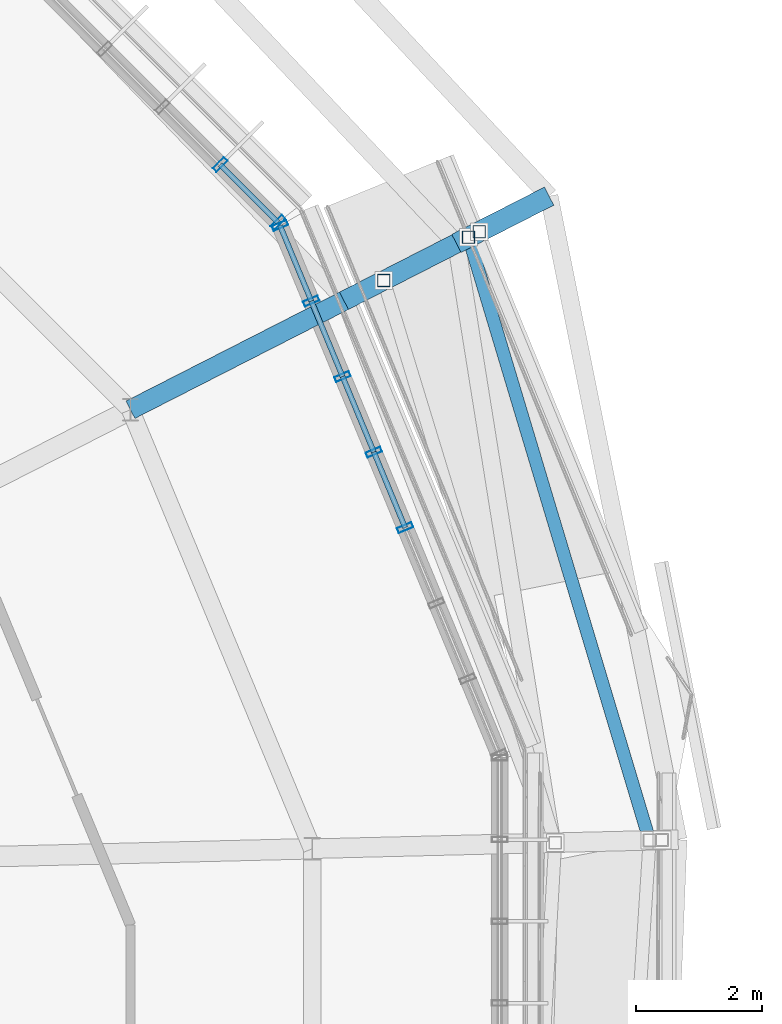
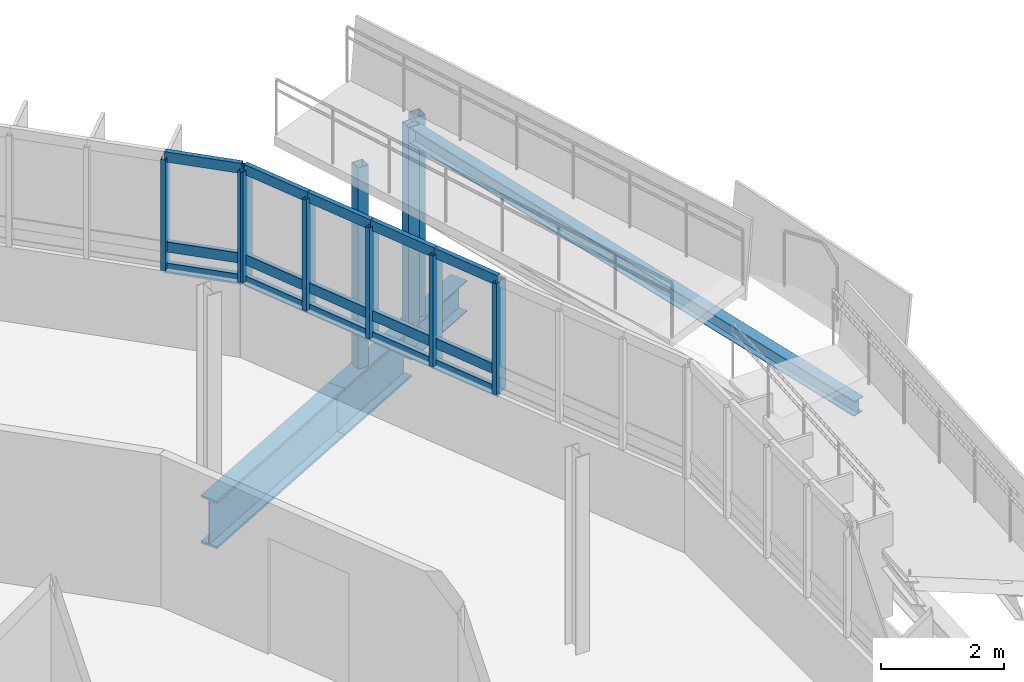
# One storey, part 21 of 38: 25 members, 4 beams, 2 elements without a shape of their own.
"""IFC4 building model written with IfcOpenShell, lengths in metres."""

import ifcopenshell
import ifcopenshell.guid

model = None  # the IFC model being written
_history = None  # IfcOwnerHistory: only IFC2X3 demands one
_inside = {}  # id of a spatial element -> (the spatial element, [elements in it])
_under = {}  # id of a project, library or spatial element -> (it, [spatial elements below it])
_declared = {}  # id of a project -> (the project, [libraries it declares])
_typed = {}  # id of a type object -> (the type object, [elements of that type])
_made_of = {}  # id of a material, layer set ... -> (it, [elements and type objects made of it])


def new_model(schema):
    """Start an empty IFC model of exactly this schema.

    Asked for "IFC4X3", IfcOpenShell would pick the latest addendum, in which some entities
    have other attributes; the version numbers below select the first issue.
    IFC2X3 requires an IfcOwnerHistory on every rooted entity: one is made here for all.
    """
    global model, _history
    if schema == "IFC4X3":
        model = ifcopenshell.file(schema_version=(4, 3, 0, 0))
    else:
        model = ifcopenshell.file(schema=schema)
    _inside.clear()
    _under.clear()
    _declared.clear()
    _typed.clear()
    _made_of.clear()
    _history = None
    if model.schema == "IFC2X3":
        org = make("IfcOrganization", Name="unknown")
        user = make(
            "IfcPersonAndOrganization",
            ThePerson=make("IfcPerson", FamilyName="unknown"),
            TheOrganization=org,
        )
        app = make(
            "IfcApplication",
            ApplicationDeveloper=org,
            Version="unknown",
            ApplicationFullName="unknown",
            ApplicationIdentifier="unknown",
        )
        _history = make(
            "IfcOwnerHistory",
            OwningUser=user,
            OwningApplication=app,
            ChangeAction="ADDED",
            CreationDate=0,
        )
    return model


def make(cls, **values):
    """One entity of the class cls with the attributes given. An attribute that is None is left unset."""
    return model.create_entity(
        cls, **{name: value for name, value in values.items() if value is not None}
    )


def rooted(cls, **values):
    """An entity with a GlobalId (a new one), such as an element, a storey or a relation."""
    return make(cls, GlobalId=ifcopenshell.guid.new(), OwnerHistory=_history, **values)


def si_unit(unit_type, name, prefix=None):
    """IfcSIUnit, for example si_unit("LENGTHUNIT", "METRE", prefix="MILLI")."""
    return make("IfcSIUnit", UnitType=unit_type, Prefix=prefix, Name=name)


def derived_unit(unit_type, elements):
    """IfcDerivedUnit: a product of units, each with its exponent."""
    return make(
        "IfcDerivedUnit",
        Elements=[
            make("IfcDerivedUnitElement", Unit=unit, Exponent=power)
            for unit, power in elements
        ],
        UnitType=unit_type,
    )


def assignment(units):
    """IfcUnitAssignment: the units of a project."""
    return None if units is None else make("IfcUnitAssignment", Units=units)


def point(xyz):
    """IfcCartesianPoint."""
    return None if xyz is None else make("IfcCartesianPoint", Coordinates=xyz)


def direction(xyz):
    """IfcDirection."""
    return None if xyz is None else make("IfcDirection", DirectionRatios=xyz)


def frame(location, z_axis=None, x_axis=None):
    """IfcAxis2Placement3D, a coordinate frame: its origin and axes. An axis left out is left unset."""
    return make(
        "IfcAxis2Placement3D",
        Location=point(location),
        Axis=direction(z_axis),
        RefDirection=direction(x_axis),
    )


def frame_2d(location, x_axis=None):
    """IfcAxis2Placement2D, a coordinate frame in the plane: its origin and x axis."""
    return make(
        "IfcAxis2Placement2D", Location=point(location), RefDirection=direction(x_axis)
    )


def origin():
    """The frame at (0, 0, 0) with its axes left unset."""
    return frame((0.0, 0.0, 0.0))


def origin_2d():
    """The frame at (0, 0) in the plane with its x axis left unset."""
    return frame_2d((0.0, 0.0))


def place(relative_to, where):
    """IfcLocalPlacement: puts the frame where relative to a parent placement (None: the world)."""
    return make(
        "IfcLocalPlacement", PlacementRelTo=relative_to, RelativePlacement=where
    )


def context(
    kind, dimensions, precision=None, world=None, true_north=None, identifier=None
):
    """IfcGeometricRepresentationContext, for example the 3D "Model" context."""
    return make(
        "IfcGeometricRepresentationContext",
        ContextIdentifier=identifier,
        ContextType=kind,
        CoordinateSpaceDimension=dimensions,
        Precision=precision,
        WorldCoordinateSystem=world,
        TrueNorth=true_north,
    )


def subcontext(parent, identifier, kind, view, scale=None):
    """IfcGeometricRepresentationSubContext, for example "Body" below "Model"."""
    return make(
        "IfcGeometricRepresentationSubContext",
        ContextIdentifier=identifier,
        ContextType=kind,
        ParentContext=parent,
        TargetScale=scale,
        TargetView=view,
    )


def project(units=None, contexts=None):
    """IfcProject with its units and contexts."""
    return rooted(
        "IfcProject",
        Name="project",
        RepresentationContexts=contexts,
        UnitsInContext=assignment(units),
    )


def spatial(cls, under=None, at=None, **own):
    """A site, building, storey or space (cls), placed at a placement, below another one or the project."""
    s = rooted(cls, ObjectPlacement=at, **own)
    if under is not None:
        _under.setdefault(under.id(), (under, []))[1].append(s)
    return s


def profile(cls, at=None, kind="AREA", **sizes):
    """A parametric profile (cls). Its sizes go by their IFC names, for example OverallWidth=200.0."""
    return make(cls, ProfileType=kind, Position=at, **sizes)


def hollow_rectangle(**sizes):
    """IfcRectangleHollowProfileDef."""
    return profile("IfcRectangleHollowProfileDef", **sizes)


def i_section(**sizes):
    """IfcIShapeProfileDef."""
    return profile("IfcIShapeProfileDef", **sizes)


def extrude(swept, where, along, depth):
    """IfcExtrudedAreaSolid: the profile swept, set in the frame where, extruded along a direction by depth."""
    return make(
        "IfcExtrudedAreaSolid",
        SweptArea=swept,
        Position=where,
        ExtrudedDirection=direction(along),
        Depth=depth,
    )


def shape(context_of_items, identifier, shape_type, items):
    """IfcShapeRepresentation: the items that make up one representation, for example the "Body"."""
    return make(
        "IfcShapeRepresentation",
        ContextOfItems=context_of_items,
        RepresentationIdentifier=identifier,
        RepresentationType=shape_type,
        Items=items,
    )


def material(Name=None, Category=None):
    """IfcMaterial."""
    return make("IfcMaterial", Name=Name, Category=Category)


def layer(
    of_material, thickness, ventilated=None, Name=None, Category=None, Priority=None
):
    """IfcMaterialLayer: one layer of a wall or slab, of a material (None: an air gap)."""
    return make(
        "IfcMaterialLayer",
        Material=of_material,
        LayerThickness=thickness,
        IsVentilated=ventilated,
        Name=Name,
        Category=Category,
        Priority=Priority,
    )


def layer_set(layers, Name=None):
    """IfcMaterialLayerSet."""
    return make("IfcMaterialLayerSet", MaterialLayers=layers, LayerSetName=Name)


def material_profile(
    of_material, cross_section, Name=None, Category=None, Priority=None
):
    """IfcMaterialProfile: a cross section and its material."""
    return make(
        "IfcMaterialProfile",
        Name=Name,
        Material=of_material,
        Profile=cross_section,
        Priority=Priority,
        Category=Category,
    )


def profile_set(profiles, Name=None, composite=None):
    """IfcMaterialProfileSet."""
    return make(
        "IfcMaterialProfileSet",
        Name=Name,
        MaterialProfiles=profiles,
        CompositeProfile=composite,
    )


def made_of(thing, what):
    """Note that an element or type object is made of a material, layer set ...; save() writes the relation."""
    if what is not None:
        _made_of.setdefault(what.id(), (what, []))[1].append(thing)
    return thing


def type_object(cls, material=None, **own):
    """A type object (cls), such as IfcWallType, which elements share."""
    return made_of(rooted(cls, **own), material)


def element(
    cls,
    number,
    at=None,
    inside=None,
    cuts=None,
    type_object=None,
    material=None,
    context=None,
    identifier="Body",
    shape_type=None,
    held_by="IfcProductDefinitionShape",
    body=None,
    shapes=None,
    **own,
):
    """One element of the class cls, such as IfcWall. Its Tag is "e" and its number.

    at: its placement. inside: the storey or other place that contains it. cuts: it is an
    opening in that element (IfcRelVoidsElement). A single representation is given by context,
    identifier, shape_type and body (its items); several are given by shapes. held_by: the class
    of the entity that holds the representations. save() writes the other relations.
    """
    e = rooted(cls, Tag="e%d" % number, ObjectPlacement=at, **own)
    if body is not None:
        shapes = [shape(context, identifier, shape_type, body)]
    if shapes is not None:
        e.Representation = make(held_by, Representations=shapes)
    if inside is not None:
        _inside.setdefault(inside.id(), (inside, []))[1].append(e)
    if cuts is not None:
        rooted(
            "IfcRelVoidsElement", RelatingBuildingElement=cuts, RelatedOpeningElement=e
        )
    if type_object is not None:
        _typed.setdefault(type_object.id(), (type_object, []))[1].append(e)
    return made_of(e, material)


def aggregate(whole, parts):
    """IfcRelAggregates: a whole, such as a stair, and the parts it consists of."""
    return rooted("IfcRelAggregates", RelatingObject=whole, RelatedObjects=parts)


def save(model, path):
    """Write the relations noted so far, then the file.

    IfcRelAggregates (storeys below a building ...), IfcRelContainedInSpatialStructure (elements
    in a storey), IfcRelDefinesByType, IfcRelAssociatesMaterial and IfcRelDeclares: one each for
    every whole, place, type object, material and project.
    """
    for whole, parts in _under.values():
        aggregate(whole, parts)
    for where, things in _inside.values():
        rooted(
            "IfcRelContainedInSpatialStructure",
            RelatedElements=things,
            RelatingStructure=where,
        )
    for kind, things in _typed.values():
        rooted("IfcRelDefinesByType", RelatedObjects=things, RelatingType=kind)
    for what, things in _made_of.values():
        rooted("IfcRelAssociatesMaterial", RelatedObjects=things, RelatingMaterial=what)
    for by, libraries in _declared.values():
        rooted("IfcRelDeclares", RelatingContext=by, RelatedDefinitions=libraries)
    model.write(path)


model = new_model("IFC4")

# Units and contexts
model_context = context("Model", 3, precision=1e-05, world=origin(), true_north=direction((0.0, 1.0)))
body_context = subcontext(model_context, "Body", "Model", "MODEL_VIEW")
ifc_project = project(units=[si_unit("LENGTHUNIT", "METRE"), si_unit("AREAUNIT", "SQUARE_METRE"), si_unit("VOLUMEUNIT", "CUBIC_METRE"), si_unit("PLANEANGLEUNIT", "RADIAN"), si_unit("MASSUNIT", "GRAM", prefix="KILO"), derived_unit("THERMALTRANSMITTANCEUNIT", [(si_unit("MASSUNIT", "GRAM", prefix="KILO"), 1), (si_unit("TIMEUNIT", "SECOND"), -3), (si_unit("THERMODYNAMICTEMPERATUREUNIT", "KELVIN"), -1)])], contexts=[model_context])

# Site, building, storey
site_placement = place(None, origin())
site = spatial("IfcSite", under=ifc_project, at=site_placement, CompositionType="ELEMENT")
building_placement = place(site_placement, origin())
building = spatial("IfcBuilding", under=site, at=building_placement, Name="Makaiwela Harbour Ferry Terminal", CompositionType="ELEMENT")
storey_placement = place(building_placement, frame((0.0, 0.0, 17.699951171875)))
storey = spatial("IfcBuildingStorey", under=building, at=storey_placement, Name="L04", CompositionType="ELEMENT", Elevation=17.699951171875)

# Curtain wall, members
ifc_material_1 = material(Name="Marine anodised aluminium 6063-T6", Category="aluminium")
ifc_layer = layer(ifc_material_1, 0.199951171875)
ifc_layer_set = layer_set([ifc_layer], Name="Marine anodised aluminium 6063-T6")
curtain_wall_type = type_object("IfcCurtainWallType", Name="ENV-CW-06", PredefinedType="USERDEFINED", material=ifc_layer_set)
curtain_wall_1_placement = place(storey_placement, origin())
curtain_wall_1 = element("IfcCurtainWall", 1, at=curtain_wall_1_placement, inside=storey, type_object=curtain_wall_type, Name="Unitised Curtain Wall CWA-043", ObjectType="UNITIZED CURTAIN WALL", PredefinedType="USERDEFINED")
ifc_material_profile_1 = material_profile(ifc_material_1, hollow_rectangle(XDim=0.0849609375, YDim=0.25, WallThickness=0.0048828125, at=origin_2d()), Name="CWM-250X85")
ifc_profile_set_1 = profile_set([ifc_material_profile_1], Name="Marine anodised aluminium 6063-T6")
member_type_1 = type_object("IfcMemberType", Name="CW-MUL-250", PredefinedType="MULLION", material=ifc_profile_set_1)
member_1_placement = place(storey_placement, frame((57.501220703125, 76.9541015625, 1.47998046875), z_axis=(0.0, 0.0, 1.0), x_axis=(-0.382683432365, 0.923879532511, 0.0)))
member_1 = element("IfcMember", 2, at=member_1_placement, type_object=member_type_1, Name="Curtain Wall Mullion CWA-043-4", PredefinedType="MULLION", context=body_context, shape_type="SweptSolid", body=[
    extrude(hollow_rectangle(XDim=0.0849609375, YDim=0.25, WallThickness=0.0048828125, at=origin_2d()), origin(), (0.0, 0.0, 1.0), 2.199951171875),
])
member_2_placement = place(storey_placement, frame((57.005615234375, 78.1513671875, 1.47998046875), z_axis=(0.0, 0.0, 1.0), x_axis=(-0.382683432365, 0.923879532511, 0.0)))
member_2 = element("IfcMember", 3, at=member_2_placement, type_object=member_type_1, Name="Curtain Wall Mullion CWA-043-5", PredefinedType="MULLION", context=body_context, shape_type="SweptSolid", body=[
    extrude(hollow_rectangle(XDim=0.0849609375, YDim=0.25, WallThickness=0.0048828125, at=origin_2d()), origin(), (0.0, 0.0, 1.0), 2.199951171875),
])
member_3_placement = place(storey_placement, frame((56.509521484375, 79.348388671875, 1.47998046875), z_axis=(0.0, 0.0, 1.0), x_axis=(-0.382683432365, 0.923879532511, 0.0)))
member_3 = element("IfcMember", 4, at=member_3_placement, type_object=member_type_1, Name="Curtain Wall Mullion CWA-043-6", PredefinedType="MULLION", context=body_context, shape_type="SweptSolid", body=[
    extrude(hollow_rectangle(XDim=0.0849609375, YDim=0.25, WallThickness=0.0048828125, at=origin_2d()), origin(), (0.0, 0.0, 1.0), 2.199951171875),
])
member_4_placement = place(storey_placement, frame((56.013916015625, 80.54541015625, 1.47998046875), z_axis=(0.0, 0.0, 1.0), x_axis=(-0.382683432365, 0.923879532511, 0.0)))
member_4 = element("IfcMember", 5, at=member_4_placement, type_object=member_type_1, Name="Curtain Wall Mullion CWA-043-7", PredefinedType="MULLION", context=body_context, shape_type="SweptSolid", body=[
    extrude(hollow_rectangle(XDim=0.0849609375, YDim=0.25, WallThickness=0.0048828125, at=origin_2d()), origin(), (0.0, 0.0, 1.0), 2.199951171875),
])
member_5_placement = place(storey_placement, frame((55.517822265625, 81.74267578125, 1.47998046875), z_axis=(0.0, 0.0, 1.0), x_axis=(-0.382683432365, 0.923879532511, 0.0)))
member_5 = element("IfcMember", 6, at=member_5_placement, type_object=member_type_1, Name="Curtain Wall Mullion CWA-043-8", PredefinedType="MULLION", context=body_context, shape_type="SweptSolid", body=[
    extrude(hollow_rectangle(XDim=0.0849609375, YDim=0.25, WallThickness=0.0048828125, at=origin_2d()), origin(), (0.0, 0.0, 1.0), 2.199951171875),
])

curtain_wall_2_placement = place(storey_placement, origin())
curtain_wall_2 = element("IfcCurtainWall", 7, at=curtain_wall_2_placement, inside=storey, type_object=curtain_wall_type, Name="Unitised Curtain Wall CWA-044", ObjectType="UNITIZED CURTAIN WALL", PredefinedType="USERDEFINED")
member_6_placement = place(storey_placement, frame((55.485107421875, 81.79150390625, 1.47998046875), z_axis=(0.0, 0.0, 1.0), x_axis=(-0.707106781187, 0.707106781187, 0.0)))
member_6 = element("IfcMember", 8, at=member_6_placement, type_object=member_type_1, Name="Curtain Wall Mullion CWA-044-1", PredefinedType="MULLION", context=body_context, shape_type="SweptSolid", body=[
    extrude(hollow_rectangle(XDim=0.0849609375, YDim=0.25, WallThickness=0.0048828125, at=origin_2d()), origin(), (0.0, 0.0, 1.0), 2.199951171875),
])
member_7_placement = place(storey_placement, frame((54.569091796875, 82.707763671875, 1.47998046875), z_axis=(0.0, 0.0, 1.0), x_axis=(-0.707106781187, 0.707106781187, 0.0)))
member_7 = element("IfcMember", 9, at=member_7_placement, type_object=member_type_1, Name="Curtain Wall Mullion CWA-044-2", PredefinedType="MULLION", context=body_context, shape_type="SweptSolid", body=[
    extrude(hollow_rectangle(XDim=0.0849609375, YDim=0.25, WallThickness=0.0048828125, at=origin_2d()), origin(), (0.0, 0.0, 1.0), 2.199951171875),
])

# Member
ifc_material_profile_2 = material_profile(ifc_material_1, hollow_rectangle(XDim=0.0849609375, YDim=0.199951171875, WallThickness=0.0048828125, at=origin_2d()), Name="CWT-200X85")
ifc_profile_set_2 = profile_set([ifc_material_profile_2], Name="Marine anodised aluminium 6063-T6")
member_type_2 = type_object("IfcMemberType", Name="CW-TRN-200", PredefinedType="USERDEFINED", material=ifc_profile_set_2)
member_8_placement = place(storey_placement, frame((57.501220703125, 76.9541015625, 1.47998046875), z_axis=(-0.382473826, 0.923966326456, 0.0), x_axis=(-0.923966326456, -0.382473826, 0.0)))
member_8 = element("IfcMember", 10, at=member_8_placement, type_object=member_type_2, Name="Curtain Wall Transom CWA-043-4-1", ObjectType="TRANSOM", PredefinedType="USERDEFINED", context=body_context, shape_type="SweptSolid", body=[
    extrude(hollow_rectangle(XDim=0.0849609375, YDim=0.199951171875, WallThickness=0.0048828125, at=origin_2d()), origin(), (0.0, 0.0, 1.0), 1.2958984375),
])

member_9_placement = place(storey_placement, frame((57.501220703125, 76.9541015625, 1.900146484375), z_axis=(-0.382473826, 0.923966326456, 0.0), x_axis=(-0.923966326456, -0.382473826, 0.0)))
member_9 = element("IfcMember", 11, at=member_9_placement, type_object=member_type_2, Name="Curtain Wall Transom CWA-043-4-2", ObjectType="TRANSOM", PredefinedType="USERDEFINED", context=body_context, shape_type="SweptSolid", body=[
    extrude(hollow_rectangle(XDim=0.0849609375, YDim=0.199951171875, WallThickness=0.0048828125, at=origin_2d()), origin(), (0.0, 0.0, 1.0), 1.2958984375),
])

member_10_placement = place(storey_placement, frame((57.501220703125, 76.9541015625, 3.679931640625), z_axis=(-0.382473826, 0.923966326456, 0.0), x_axis=(-0.923966326456, -0.382473826, 0.0)))
member_10 = element("IfcMember", 12, at=member_10_placement, type_object=member_type_2, Name="Curtain Wall Transom CWA-043-4-3", ObjectType="TRANSOM", PredefinedType="USERDEFINED", context=body_context, shape_type="SweptSolid", body=[
    extrude(hollow_rectangle(XDim=0.0849609375, YDim=0.199951171875, WallThickness=0.0048828125, at=origin_2d()), origin(), (0.0, 0.0, 1.0), 1.2958984375),
])

member_11_placement = place(storey_placement, frame((57.005615234375, 78.1513671875, 1.47998046875), z_axis=(-0.382862084562, 0.92380551211, 0.0), x_axis=(-0.92380551211, -0.382862084562, 0.0)))
member_11 = element("IfcMember", 13, at=member_11_placement, type_object=member_type_2, Name="Curtain Wall Transom CWA-043-5-1", ObjectType="TRANSOM", PredefinedType="USERDEFINED", context=body_context, shape_type="SweptSolid", body=[
    extrude(hollow_rectangle(XDim=0.0849609375, YDim=0.199951171875, WallThickness=0.0048828125, at=origin_2d()), origin(), (0.0, 0.0, 1.0), 1.295654296875),
])

member_12_placement = place(storey_placement, frame((57.005615234375, 78.1513671875, 1.900146484375), z_axis=(-0.382862084562, 0.92380551211, 0.0), x_axis=(-0.92380551211, -0.382862084562, 0.0)))
member_12 = element("IfcMember", 14, at=member_12_placement, type_object=member_type_2, Name="Curtain Wall Transom CWA-043-5-2", ObjectType="TRANSOM", PredefinedType="USERDEFINED", context=body_context, shape_type="SweptSolid", body=[
    extrude(hollow_rectangle(XDim=0.0849609375, YDim=0.199951171875, WallThickness=0.0048828125, at=origin_2d()), origin(), (0.0, 0.0, 1.0), 1.295654296875),
])

member_13_placement = place(storey_placement, frame((57.005615234375, 78.1513671875, 3.679931640625), z_axis=(-0.382862084562, 0.92380551211, 0.0), x_axis=(-0.92380551211, -0.382862084562, 0.0)))
member_13 = element("IfcMember", 15, at=member_13_placement, type_object=member_type_2, Name="Curtain Wall Transom CWA-043-5-3", ObjectType="TRANSOM", PredefinedType="USERDEFINED", context=body_context, shape_type="SweptSolid", body=[
    extrude(hollow_rectangle(XDim=0.0849609375, YDim=0.199951171875, WallThickness=0.0048828125, at=origin_2d()), origin(), (0.0, 0.0, 1.0), 1.295654296875),
])

member_14_placement = place(storey_placement, frame((56.509521484375, 79.348388671875, 1.47998046875), z_axis=(-0.382540419629, 0.923938757359, 0.0), x_axis=(-0.923938757359, -0.382540419629, 0.0)))
member_14 = element("IfcMember", 16, at=member_14_placement, type_object=member_type_2, Name="Curtain Wall Transom CWA-043-6-1", ObjectType="TRANSOM", PredefinedType="USERDEFINED", context=body_context, shape_type="SweptSolid", body=[
    extrude(hollow_rectangle(XDim=0.0849609375, YDim=0.199951171875, WallThickness=0.0048828125, at=origin_2d()), origin(), (0.0, 0.0, 1.0), 1.295654296875),
])

member_15_placement = place(storey_placement, frame((56.509521484375, 79.348388671875, 1.900146484375), z_axis=(-0.382540419629, 0.923938757359, 0.0), x_axis=(-0.923938757359, -0.382540419629, 0.0)))
member_15 = element("IfcMember", 17, at=member_15_placement, type_object=member_type_2, Name="Curtain Wall Transom CWA-043-6-2", ObjectType="TRANSOM", PredefinedType="USERDEFINED", context=body_context, shape_type="SweptSolid", body=[
    extrude(hollow_rectangle(XDim=0.0849609375, YDim=0.199951171875, WallThickness=0.0048828125, at=origin_2d()), origin(), (0.0, 0.0, 1.0), 1.295654296875),
])

member_16_placement = place(storey_placement, frame((56.509521484375, 79.348388671875, 3.679931640625), z_axis=(-0.382540419629, 0.923938757359, 0.0), x_axis=(-0.923938757359, -0.382540419629, 0.0)))
member_16 = element("IfcMember", 18, at=member_16_placement, type_object=member_type_2, Name="Curtain Wall Transom CWA-043-6-3", ObjectType="TRANSOM", PredefinedType="USERDEFINED", context=body_context, shape_type="SweptSolid", body=[
    extrude(hollow_rectangle(XDim=0.0849609375, YDim=0.199951171875, WallThickness=0.0048828125, at=origin_2d()), origin(), (0.0, 0.0, 1.0), 1.295654296875),
])

member_17_placement = place(storey_placement, frame((56.013916015625, 80.54541015625, 1.47998046875), z_axis=(-0.382795454155, 0.92383312361, 0.0), x_axis=(-0.92383312361, -0.382795454155, 0.0)))
member_17 = element("IfcMember", 19, at=member_17_placement, type_object=member_type_2, Name="Curtain Wall Transom CWA-043-7-1", ObjectType="TRANSOM", PredefinedType="USERDEFINED", context=body_context, shape_type="SweptSolid", body=[
    extrude(hollow_rectangle(XDim=0.0849609375, YDim=0.199951171875, WallThickness=0.0048828125, at=origin_2d()), origin(), (0.0, 0.0, 1.0), 1.2958984375),
])

member_18_placement = place(storey_placement, frame((56.013916015625, 80.54541015625, 1.900146484375), z_axis=(-0.382795454155, 0.92383312361, 0.0), x_axis=(-0.92383312361, -0.382795454155, 0.0)))
member_18 = element("IfcMember", 20, at=member_18_placement, type_object=member_type_2, Name="Curtain Wall Transom CWA-043-7-2", ObjectType="TRANSOM", PredefinedType="USERDEFINED", context=body_context, shape_type="SweptSolid", body=[
    extrude(hollow_rectangle(XDim=0.0849609375, YDim=0.199951171875, WallThickness=0.0048828125, at=origin_2d()), origin(), (0.0, 0.0, 1.0), 1.2958984375),
])

member_19_placement = place(storey_placement, frame((56.013916015625, 80.54541015625, 3.679931640625), z_axis=(-0.382795454155, 0.92383312361, 0.0), x_axis=(-0.92383312361, -0.382795454155, 0.0)))
member_19 = element("IfcMember", 21, at=member_19_placement, type_object=member_type_2, Name="Curtain Wall Transom CWA-043-7-3", ObjectType="TRANSOM", PredefinedType="USERDEFINED", context=body_context, shape_type="SweptSolid", body=[
    extrude(hollow_rectangle(XDim=0.0849609375, YDim=0.199951171875, WallThickness=0.0048828125, at=origin_2d()), origin(), (0.0, 0.0, 1.0), 1.2958984375),
])

aggregate(curtain_wall_1, [member_1, member_2, member_3, member_4, member_5, member_8, member_9, member_10, member_11, member_12, member_13, member_14, member_15, member_16, member_17, member_18, member_19])

member_20_placement = place(storey_placement, frame((55.485107421875, 81.79150390625, 1.47998046875), z_axis=(-0.707012556818, 0.707200993001, 0.0), x_axis=(-0.707200993001, -0.707012556818, 0.0)))
member_20 = element("IfcMember", 22, at=member_20_placement, type_object=member_type_2, Name="Curtain Wall Transom CWA-044-1-1", ObjectType="TRANSOM", PredefinedType="USERDEFINED", context=body_context, shape_type="SweptSolid", body=[
    extrude(hollow_rectangle(XDim=0.0849609375, YDim=0.199951171875, WallThickness=0.0048828125, at=origin_2d()), origin(), (0.0, 0.0, 1.0), 1.295654296875),
])

member_21_placement = place(storey_placement, frame((55.485107421875, 81.79150390625, 1.900146484375), z_axis=(-0.707012556818, 0.707200993001, 0.0), x_axis=(-0.707200993001, -0.707012556818, 0.0)))
member_21 = element("IfcMember", 23, at=member_21_placement, type_object=member_type_2, Name="Curtain Wall Transom CWA-044-1-2", ObjectType="TRANSOM", PredefinedType="USERDEFINED", context=body_context, shape_type="SweptSolid", body=[
    extrude(hollow_rectangle(XDim=0.0849609375, YDim=0.199951171875, WallThickness=0.0048828125, at=origin_2d()), origin(), (0.0, 0.0, 1.0), 1.295654296875),
])

member_22_placement = place(storey_placement, frame((55.485107421875, 81.79150390625, 3.679931640625), z_axis=(-0.707012556818, 0.707200993001, 0.0), x_axis=(-0.707200993001, -0.707012556818, 0.0)))
member_22 = element("IfcMember", 24, at=member_22_placement, type_object=member_type_2, Name="Curtain Wall Transom CWA-044-1-3", ObjectType="TRANSOM", PredefinedType="USERDEFINED", context=body_context, shape_type="SweptSolid", body=[
    extrude(hollow_rectangle(XDim=0.0849609375, YDim=0.199951171875, WallThickness=0.0048828125, at=origin_2d()), origin(), (0.0, 0.0, 1.0), 1.295654296875),
])

aggregate(curtain_wall_2, [member_6, member_7, member_20, member_21, member_22])

# Beams
ifc_material_2 = material(Name="Steel ASTM A992 Grade 50", Category="steel")
ifc_material_profile_3 = material_profile(ifc_material_2, i_section(OverallWidth=0.324951171875, OverallDepth=0.615966796875, WebThickness=0.013916015625, FlangeThickness=0.021484375, at=origin_2d()), Name="W24X117")
ifc_profile_set_3 = profile_set([ifc_material_profile_3], Name="Steel ASTM A992 Grade 50")
beam_type_1 = type_object("IfcBeamType", Name="STR-GRD-W24X117", PredefinedType="USERDEFINED", material=ifc_profile_set_3)
beam_1_placement = place(storey_placement, frame((58.313720703125, 81.458740234375, -0.56298828125), z_axis=(0.890787540779, 0.454420022879, 0.0), x_axis=(-0.454420022879, 0.890787540779, 0.0)))
element("IfcBeam", 25, at=beam_1_placement, inside=storey, type_object=beam_type_1, Name="Promenade terrace bracket 403", ObjectType="GIRDER", PredefinedType="USERDEFINED", context=body_context, shape_type="SweptSolid", body=[
    extrude(i_section(OverallWidth=0.324951171875, OverallDepth=0.615966796875, WebThickness=0.013916015625, FlangeThickness=0.021484375, at=origin_2d()), origin(), (0.0, 0.0, 1.0), 1.64990234375),
])
ifc_material_profile_4 = material_profile(ifc_material_2, i_section(OverallWidth=0.31005859375, OverallDepth=0.949951171875, WebThickness=0.0244140625, FlangeThickness=0.0439453125, at=origin_2d()), Name="W36X256")
ifc_profile_set_4 = profile_set([ifc_material_profile_4], Name="Steel ASTM A992 Grade 50")
beam_type_2 = type_object("IfcBeamType", Name="STR-GRD-W36X256", PredefinedType="USERDEFINED", material=ifc_profile_set_4)
beam_2_placement = place(storey_placement, frame((53.1474609375, 78.822509765625, -0.72998046875), z_axis=(0.890748068291, 0.454497391452, 0.0), x_axis=(-0.454497391452, 0.890748068291, 0.0)))
element("IfcBeam", 26, at=beam_2_placement, inside=storey, type_object=beam_type_2, Name="Drum radial overhang 401", ObjectType="GIRDER", PredefinedType="USERDEFINED", context=body_context, shape_type="SweptSolid", body=[
    extrude(i_section(OverallWidth=0.31005859375, OverallDepth=0.949951171875, WebThickness=0.0244140625, FlangeThickness=0.0439453125, at=origin_2d()), origin(), (0.0, 0.0, 1.0), 3.7998046875),
])
beam_3_placement = place(storey_placement, frame((56.5322265625, 80.549560546875, -0.72998046875), z_axis=(0.890710431999, 0.454571145507, 0.0), x_axis=(-0.454571145507, 0.890710431999, 0.0)))
element("IfcBeam", 27, at=beam_3_placement, inside=storey, type_object=beam_type_2, Name="Drum overhang radial girder 402", ObjectType="GIRDER", PredefinedType="USERDEFINED", context=body_context, shape_type="SweptSolid", body=[
    extrude(i_section(OverallWidth=0.31005859375, OverallDepth=0.949951171875, WebThickness=0.0244140625, FlangeThickness=0.0439453125, at=origin_2d()), origin(), (0.0, 0.0, 1.0), 2.0),
])
ifc_material_profile_5 = material_profile(ifc_material_2, i_section(OverallWidth=0.205078125, OverallDepth=0.31005859375, WebThickness=0.009521484375, FlangeThickness=0.016357421875, at=origin_2d()), Name="W12X50")
ifc_profile_set_5 = profile_set([ifc_material_profile_5], Name="Steel ASTM A992 Grade 50")
beam_type_3 = type_object("IfcBeamType", Name="STR-LNT-W12X50", PredefinedType="LINTEL", material=ifc_profile_set_5)
beam_4_placement = place(storey_placement, frame((61.37548828125, 71.99755859375, 2.8193359375), z_axis=(-0.28685251695, 0.955646243611, 0.066752457573), x_axis=(-0.957782513058, -0.287493752419, 0.0)))
element("IfcBeam", 28, at=beam_4_placement, inside=storey, type_object=beam_type_3, Name="Coiled Ramp Stringer L04-F7-OUT", PredefinedType="LINTEL", context=body_context, shape_type="SweptSolid", body=[
    extrude(i_section(OverallWidth=0.205078125, OverallDepth=0.31005859375, WebThickness=0.009521484375, FlangeThickness=0.016357421875, at=origin_2d()), origin(), (0.0, 0.0, 1.0), 10.0029296875),
])

# Members
ifc_material_3 = material(Name="Steel ASTM A500 Grade C", Category="steel")
ifc_material_profile_6 = material_profile(ifc_material_3, hollow_rectangle(XDim=0.202880859375, YDim=0.202880859375, WallThickness=0.01171875, at=origin_2d()), Name="HSS8X8X1/2")
ifc_profile_set_6 = profile_set([ifc_material_profile_6], Name="Steel ASTM A500 Grade C")
member_type_3 = type_object("IfcMemberType", Name="STR-PST-HSS8", PredefinedType="POST", material=ifc_profile_set_6)
member_23_placement = place(storey_placement, frame((57.1611328125, 80.87060546875, -0.27490234375), z_axis=(0.0, 0.0, 1.0), x_axis=(1.0, 0.0, 0.0)))
element("IfcMember", 29, at=member_23_placement, inside=storey, type_object=member_type_3, Name="Exterior Ramp Support Post RP-0111", PredefinedType="POST", context=body_context, shape_type="SweptSolid", body=[
    extrude(hollow_rectangle(XDim=0.202880859375, YDim=0.202880859375, WallThickness=0.01171875, at=origin_2d()), origin(), (0.0, 0.0, 1.0), 4.0),
])
member_24_placement = place(storey_placement, frame((58.506103515625, 81.556884765625, -0.27490234375), z_axis=(0.0, 0.0, 1.0), x_axis=(1.0, 0.0, 0.0)))
element("IfcMember", 30, at=member_24_placement, inside=storey, type_object=member_type_3, Name="Exterior Ramp Support Post RP-0115", PredefinedType="POST", context=body_context, shape_type="SweptSolid", body=[
    extrude(hollow_rectangle(XDim=0.202880859375, YDim=0.202880859375, WallThickness=0.01171875, at=origin_2d()), origin(), (0.0, 0.0, 1.0), 3.9169921875),
])
member_25_placement = place(storey_placement, frame((58.67431640625, 81.642578125, -0.27490234375), z_axis=(0.0, 0.0, 1.0), x_axis=(1.0, 0.0, 0.0)))
element("IfcMember", 31, at=member_25_placement, inside=storey, type_object=member_type_3, Name="Exterior Ramp Support Post RP-0116", PredefinedType="POST", context=body_context, shape_type="SweptSolid", body=[
    extrude(hollow_rectangle(XDim=0.202880859375, YDim=0.202880859375, WallThickness=0.01171875, at=origin_2d()), origin(), (0.0, 0.0, 1.0), 4.0),
])

save(model, "model.ifc")
